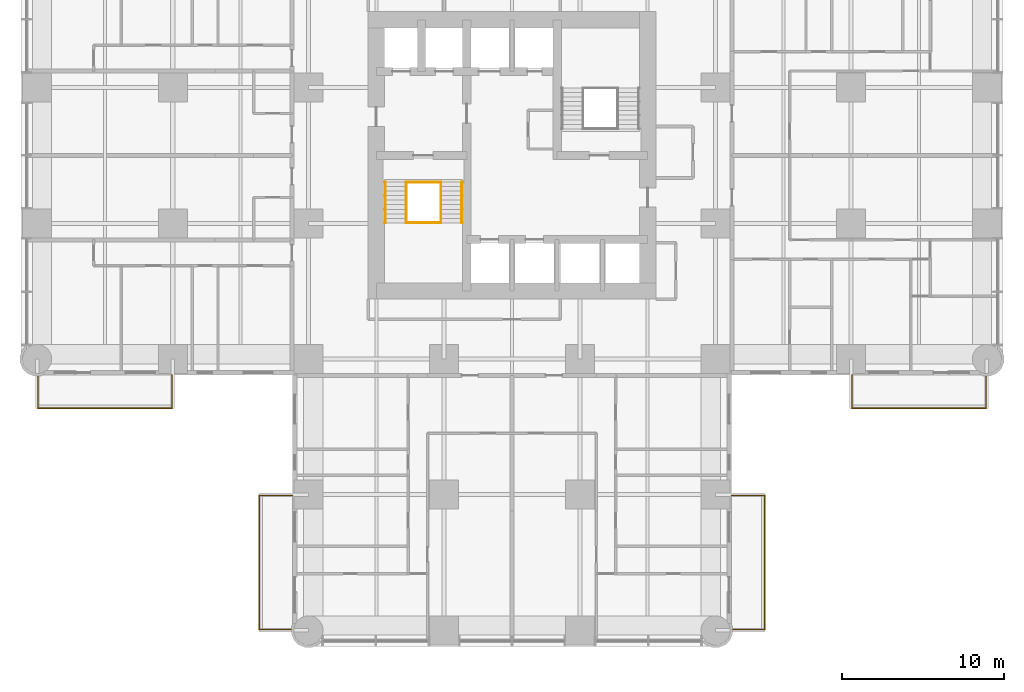
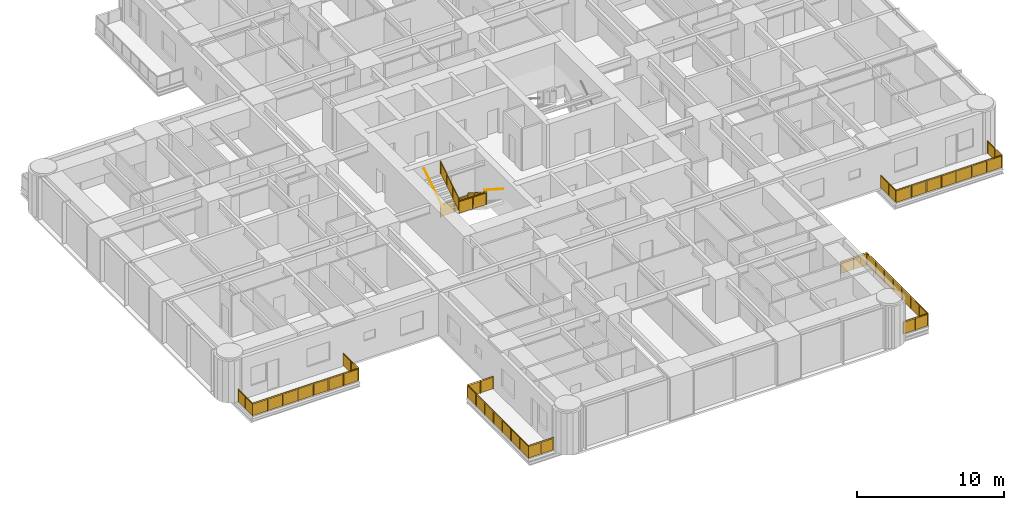
# One storey, part 16 of 17: 10 railings.
"""IFC4 building model written with IfcOpenShell, lengths in metres."""

from ifc_helpers import new_model, si_unit, direction, frame, origin, origin_2d, place, context, subcontext, project, spatial, polyline, circle, outline, extrude, material, constituent, constituent_set, type_object, element, save


model = new_model("IFC4")

# Units and contexts
model_context = context("Model", 3, precision=1e-05, world=origin(), true_north=direction((0.0, 1.0)))
body_context = subcontext(model_context, "Body", "Model", "MODEL_VIEW")
ifc_project = project(units=[si_unit("LENGTHUNIT", "METRE"), si_unit("AREAUNIT", "SQUARE_METRE"), si_unit("VOLUMEUNIT", "CUBIC_METRE"), si_unit("PLANEANGLEUNIT", "RADIAN"), si_unit("MASSUNIT", "GRAM", prefix="KILO")], contexts=[model_context])

# Site, building, storey
site_placement = place(None, origin())
site = spatial("IfcSite", under=ifc_project, at=site_placement, CompositionType="ELEMENT")
building_placement = place(site_placement, origin())
building = spatial("IfcBuilding", under=site, at=building_placement, Name="Torre Alcanfor", CompositionType="ELEMENT")
storey_placement = place(building_placement, frame((0.0, 0.0, 81.300048828125)))
storey = spatial("IfcBuildingStorey", under=building, at=storey_placement, Name="L20", CompositionType="ELEMENT", Elevation=81.300048828125)

# Railings
ifc_material_1 = material(Name="Laminated safety glass", Category="glass")
ifc_constituent_1 = constituent(ifc_material_1, Name="Infill")
ifc_material_2 = material(Name="Stainless steel ASTM A554 Grade MT 316L tube", Category="steel")
ifc_constituent_2 = constituent(ifc_material_2, Name="Posts and rail")
ifc_constituent_set = constituent_set(constituents=[ifc_constituent_1, ifc_constituent_2], Name="Balcony guard glass 1100")
railing_type_1 = type_object("IfcRailingType", Name="Balcony guard glass 1100", PredefinedType="BALUSTRADE", material=ifc_constituent_set)
railing_1_placement = place(storey_placement, frame((50.449951171875, 15.800048828125, 0.0)))
element("IfcRailing", 1, at=railing_1_placement, inside=storey, type_object=railing_type_1, Name="Balcony guard L20-E2", PredefinedType="BALUSTRADE", context=body_context, shape_type="SweptSolid", body=[
    extrude(circle(Radius=0.02392578125, at=origin_2d()), frame((0.0, 0.0, 1.076171875), z_axis=(0.0, -1.0, 0.0), x_axis=(1.0, 0.0, 0.0)), (0.0, 0.0, 1.0), 2.050048828125),
    extrude(circle(Radius=0.02392578125, at=origin_2d()), frame((0.0, -2.050048828125, 1.076171875), z_axis=(1.0, 0.0, 0.0), x_axis=(0.0, 1.0, 0.0)), (0.0, 0.0, 1.0), 8.300048828125),
    extrude(circle(Radius=0.02392578125, at=origin_2d()), frame((8.300048828125, -2.050048828125, 1.076171875), z_axis=(0.0, 1.0, 0.0), x_axis=(-1.0, 0.0, 0.0)), (0.0, 0.0, 1.0), 1.968994140625),
    extrude(circle(Radius=0.02099609375, at=origin_2d()), origin(), (0.0, 0.0, 1.0), 1.052001953125),
    extrude(circle(Radius=0.02099609375, at=origin_2d()), frame((0.0, -1.02490234375, 0.0)), (0.0, 0.0, 1.0), 1.052001953125),
    extrude(circle(Radius=0.02099609375, at=origin_2d()), frame((0.0, -2.050048828125, 0.0)), (0.0, 0.0, 1.0), 1.052001953125),
    extrude(circle(Radius=0.02099609375, at=origin_2d()), frame((1.185791015625, -2.050048828125, 0.0)), (0.0, 0.0, 1.0), 1.052001953125),
    extrude(circle(Radius=0.02099609375, at=origin_2d()), frame((2.371337890625, -2.050048828125, 0.0)), (0.0, 0.0, 1.0), 1.052001953125),
    extrude(circle(Radius=0.02099609375, at=origin_2d()), frame((3.55712890625, -2.050048828125, 0.0)), (0.0, 0.0, 1.0), 1.052001953125),
    extrude(circle(Radius=0.02099609375, at=origin_2d()), frame((4.742919921875, -2.050048828125, 0.0)), (0.0, 0.0, 1.0), 1.052001953125),
    extrude(circle(Radius=0.02099609375, at=origin_2d()), frame((5.9287109375, -2.050048828125, 0.0)), (0.0, 0.0, 1.0), 1.052001953125),
    extrude(circle(Radius=0.02099609375, at=origin_2d()), frame((7.1142578125, -2.050048828125, 0.0)), (0.0, 0.0, 1.0), 1.052001953125),
    extrude(circle(Radius=0.02099609375, at=origin_2d()), frame((8.300048828125, -2.050048828125, 0.0)), (0.0, 0.0, 1.0), 1.052001953125),
    extrude(circle(Radius=0.02099609375, at=origin_2d()), frame((8.300048828125, -1.0654296875, 0.0)), (0.0, 0.0, 1.0), 1.052001953125),
    extrude(circle(Radius=0.02099609375, at=origin_2d()), frame((8.300048828125, -0.0810546875, 0.0)), (0.0, 0.0, 1.0), 1.052001953125),
    extrude(outline(polyline([(0.041015625, 0.050048828125), (0.984130859375, 0.050048828125), (0.984130859375, 1.001953125), (0.041015625, 1.001953125), (0.041015625, 0.050048828125)])), frame((0.005859375, 0.0, 0.0), z_axis=(-1.0, 0.0, 0.0), x_axis=(0.0, -1.0, 0.0)), (0.0, 0.0, 1.0), 0.011962890625),
    extrude(outline(polyline([(1.06591796875, 0.050048828125), (2.009033203125, 0.050048828125), (2.009033203125, 1.001953125), (1.06591796875, 1.001953125), (1.06591796875, 0.050048828125)])), frame((0.005859375, 0.0, 0.0), z_axis=(-1.0, 0.0, 0.0), x_axis=(0.0, -1.0, 0.0)), (0.0, 0.0, 1.0), 0.011962890625),
    extrude(outline(polyline([(0.041015625, 0.050048828125), (1.144775390625, 0.050048828125), (1.144775390625, 1.001953125), (0.041015625, 1.001953125), (0.041015625, 0.050048828125)])), frame((0.0, -2.0439453125, 0.0), z_axis=(0.0, -1.0, 0.0), x_axis=(1.0, 0.0, 0.0)), (0.0, 0.0, 1.0), 0.011962890625),
    extrude(outline(polyline([(1.226806640625, 0.050048828125), (2.330322265625, 0.050048828125), (2.330322265625, 1.001953125), (1.226806640625, 1.001953125), (1.226806640625, 0.050048828125)])), frame((0.0, -2.0439453125, 0.0), z_axis=(0.0, -1.0, 0.0), x_axis=(1.0, 0.0, 0.0)), (0.0, 0.0, 1.0), 0.011962890625),
    extrude(outline(polyline([(2.412353515625, 0.050048828125), (3.51611328125, 0.050048828125), (3.51611328125, 1.001953125), (2.412353515625, 1.001953125), (2.412353515625, 0.050048828125)])), frame((0.0, -2.0439453125, 0.0), z_axis=(0.0, -1.0, 0.0), x_axis=(1.0, 0.0, 0.0)), (0.0, 0.0, 1.0), 0.011962890625),
    extrude(outline(polyline([(3.59814453125, 0.050048828125), (4.701904296875, 0.050048828125), (4.701904296875, 1.001953125), (3.59814453125, 1.001953125), (3.59814453125, 0.050048828125)])), frame((0.0, -2.0439453125, 0.0), z_axis=(0.0, -1.0, 0.0), x_axis=(1.0, 0.0, 0.0)), (0.0, 0.0, 1.0), 0.011962890625),
    extrude(outline(polyline([(4.783935546875, 0.050048828125), (5.8876953125, 0.050048828125), (5.8876953125, 1.001953125), (4.783935546875, 1.001953125), (4.783935546875, 0.050048828125)])), frame((0.0, -2.0439453125, 0.0), z_axis=(0.0, -1.0, 0.0), x_axis=(1.0, 0.0, 0.0)), (0.0, 0.0, 1.0), 0.011962890625),
    extrude(outline(polyline([(5.9697265625, 0.050048828125), (7.0732421875, 0.050048828125), (7.0732421875, 1.001953125), (5.9697265625, 1.001953125), (5.9697265625, 0.050048828125)])), frame((0.0, -2.0439453125, 0.0), z_axis=(0.0, -1.0, 0.0), x_axis=(1.0, 0.0, 0.0)), (0.0, 0.0, 1.0), 0.011962890625),
    extrude(outline(polyline([(7.1552734375, 0.050048828125), (8.259033203125, 0.050048828125), (8.259033203125, 1.001953125), (7.1552734375, 1.001953125), (7.1552734375, 0.050048828125)])), frame((0.0, -2.0439453125, 0.0), z_axis=(0.0, -1.0, 0.0), x_axis=(1.0, 0.0, 0.0)), (0.0, 0.0, 1.0), 0.011962890625),
    extrude(outline(polyline([(0.041015625, 0.050048828125), (0.943603515625, 0.050048828125), (0.943603515625, 1.001953125), (0.041015625, 1.001953125), (0.041015625, 0.050048828125)])), frame((8.2939453125, -2.050048828125, 0.0), z_axis=(1.0, 0.0, 0.0), x_axis=(0.0, 1.0, 0.0)), (0.0, 0.0, 1.0), 0.011962890625),
    extrude(outline(polyline([(1.025390625, 0.050048828125), (1.927978515625, 0.050048828125), (1.927978515625, 1.001953125), (1.025390625, 1.001953125), (1.025390625, 0.050048828125)])), frame((8.2939453125, -2.050048828125, 0.0), z_axis=(1.0, 0.0, 0.0), x_axis=(0.0, 1.0, 0.0)), (0.0, 0.0, 1.0), 0.011962890625),
])
railing_2_placement = place(storey_placement, frame((43.0, 8.35009765625, 0.0)))
element("IfcRailing", 2, at=railing_2_placement, inside=storey, type_object=railing_type_1, Name="Balcony guard L20-S1", PredefinedType="BALUSTRADE", context=body_context, shape_type="SweptSolid", body=[
    extrude(circle(Radius=0.02392578125, at=origin_2d()), frame((0.0, 0.0, 1.076171875), z_axis=(1.0, 0.0, 0.0), x_axis=(0.0, 1.0, 0.0)), (0.0, 0.0, 1.0), 2.050048828125),
    extrude(circle(Radius=0.02392578125, at=origin_2d()), frame((2.050048828125, 0.0, 1.076171875), z_axis=(0.0, -1.0, 0.0), x_axis=(1.0, 0.0, 0.0)), (0.0, 0.0, 1.0), 8.300048828125),
    extrude(circle(Radius=0.02392578125, at=origin_2d()), frame((2.050048828125, -8.300048828125, 1.076171875), z_axis=(-1.0, 0.0, 0.0), x_axis=(0.0, -1.0, 0.0)), (0.0, 0.0, 1.0), 1.968994140625),
    extrude(circle(Radius=0.02099609375, at=origin_2d()), origin(), (0.0, 0.0, 1.0), 1.052001953125),
    extrude(circle(Radius=0.02099609375, at=origin_2d()), frame((1.02490234375, 0.0, 0.0)), (0.0, 0.0, 1.0), 1.052001953125),
    extrude(circle(Radius=0.02099609375, at=origin_2d()), frame((2.050048828125, 0.0, 0.0)), (0.0, 0.0, 1.0), 1.052001953125),
    extrude(circle(Radius=0.02099609375, at=origin_2d()), frame((2.050048828125, -1.185791015625, 0.0)), (0.0, 0.0, 1.0), 1.052001953125),
    extrude(circle(Radius=0.02099609375, at=origin_2d()), frame((2.050048828125, -2.371337890625, 0.0)), (0.0, 0.0, 1.0), 1.052001953125),
    extrude(circle(Radius=0.02099609375, at=origin_2d()), frame((2.050048828125, -3.55712890625, 0.0)), (0.0, 0.0, 1.0), 1.052001953125),
    extrude(circle(Radius=0.02099609375, at=origin_2d()), frame((2.050048828125, -4.742919921875, 0.0)), (0.0, 0.0, 1.0), 1.052001953125),
    extrude(circle(Radius=0.02099609375, at=origin_2d()), frame((2.050048828125, -5.9287109375, 0.0)), (0.0, 0.0, 1.0), 1.052001953125),
    extrude(circle(Radius=0.02099609375, at=origin_2d()), frame((2.050048828125, -7.1142578125, 0.0)), (0.0, 0.0, 1.0), 1.052001953125),
    extrude(circle(Radius=0.02099609375, at=origin_2d()), frame((2.050048828125, -8.300048828125, 0.0)), (0.0, 0.0, 1.0), 1.052001953125),
    extrude(circle(Radius=0.02099609375, at=origin_2d()), frame((1.0654296875, -8.300048828125, 0.0)), (0.0, 0.0, 1.0), 1.052001953125),
    extrude(circle(Radius=0.02099609375, at=origin_2d()), frame((0.0810546875, -8.300048828125, 0.0)), (0.0, 0.0, 1.0), 1.052001953125),
    extrude(outline(polyline([(0.041015625, 0.050048828125), (0.984130859375, 0.050048828125), (0.984130859375, 1.001953125), (0.041015625, 1.001953125), (0.041015625, 0.050048828125)])), frame((0.0, 0.005859375, 0.0), z_axis=(0.0, -1.0, 0.0), x_axis=(1.0, 0.0, 0.0)), (0.0, 0.0, 1.0), 0.011962890625),
    extrude(outline(polyline([(1.06591796875, 0.050048828125), (2.009033203125, 0.050048828125), (2.009033203125, 1.001953125), (1.06591796875, 1.001953125), (1.06591796875, 0.050048828125)])), frame((0.0, 0.005859375, 0.0), z_axis=(0.0, -1.0, 0.0), x_axis=(1.0, 0.0, 0.0)), (0.0, 0.0, 1.0), 0.011962890625),
    extrude(outline(polyline([(0.041015625, 0.050048828125), (1.144775390625, 0.050048828125), (1.144775390625, 1.001953125), (0.041015625, 1.001953125), (0.041015625, 0.050048828125)])), frame((2.05615234375, 0.0, 0.0), z_axis=(-1.0, 0.0, 0.0), x_axis=(0.0, -1.0, 0.0)), (0.0, 0.0, 1.0), 0.011962890625),
    extrude(outline(polyline([(1.226806640625, 0.050048828125), (2.330322265625, 0.050048828125), (2.330322265625, 1.001953125), (1.226806640625, 1.001953125), (1.226806640625, 0.050048828125)])), frame((2.05615234375, 0.0, 0.0), z_axis=(-1.0, 0.0, 0.0), x_axis=(0.0, -1.0, 0.0)), (0.0, 0.0, 1.0), 0.011962890625),
    extrude(outline(polyline([(2.412353515625, 0.050048828125), (3.51611328125, 0.050048828125), (3.51611328125, 1.001953125), (2.412353515625, 1.001953125), (2.412353515625, 0.050048828125)])), frame((2.05615234375, 0.0, 0.0), z_axis=(-1.0, 0.0, 0.0), x_axis=(0.0, -1.0, 0.0)), (0.0, 0.0, 1.0), 0.011962890625),
    extrude(outline(polyline([(3.59814453125, 0.050048828125), (4.701904296875, 0.050048828125), (4.701904296875, 1.001953125), (3.59814453125, 1.001953125), (3.59814453125, 0.050048828125)])), frame((2.05615234375, 0.0, 0.0), z_axis=(-1.0, 0.0, 0.0), x_axis=(0.0, -1.0, 0.0)), (0.0, 0.0, 1.0), 0.011962890625),
    extrude(outline(polyline([(4.783935546875, 0.050048828125), (5.8876953125, 0.050048828125), (5.8876953125, 1.001953125), (4.783935546875, 1.001953125), (4.783935546875, 0.050048828125)])), frame((2.05615234375, 0.0, 0.0), z_axis=(-1.0, 0.0, 0.0), x_axis=(0.0, -1.0, 0.0)), (0.0, 0.0, 1.0), 0.011962890625),
    extrude(outline(polyline([(5.9697265625, 0.050048828125), (7.0732421875, 0.050048828125), (7.0732421875, 1.001953125), (5.9697265625, 1.001953125), (5.9697265625, 0.050048828125)])), frame((2.05615234375, 0.0, 0.0), z_axis=(-1.0, 0.0, 0.0), x_axis=(0.0, -1.0, 0.0)), (0.0, 0.0, 1.0), 0.011962890625),
    extrude(outline(polyline([(7.1552734375, 0.050048828125), (8.259033203125, 0.050048828125), (8.259033203125, 1.001953125), (7.1552734375, 1.001953125), (7.1552734375, 0.050048828125)])), frame((2.05615234375, 0.0, 0.0), z_axis=(-1.0, 0.0, 0.0), x_axis=(0.0, -1.0, 0.0)), (0.0, 0.0, 1.0), 0.011962890625),
    extrude(outline(polyline([(0.041015625, 0.050048828125), (0.943603515625, 0.050048828125), (0.943603515625, 1.001953125), (0.041015625, 1.001953125), (0.041015625, 0.050048828125)])), frame((2.050048828125, -8.30615234375, 0.0), z_axis=(0.0, 1.0, 0.0), x_axis=(-1.0, 0.0, 0.0)), (0.0, 0.0, 1.0), 0.011962890625),
    extrude(outline(polyline([(1.025390625, 0.050048828125), (1.927978515625, 0.050048828125), (1.927978515625, 1.001953125), (1.025390625, 1.001953125), (1.025390625, 0.050048828125)])), frame((2.050048828125, -8.30615234375, 0.0), z_axis=(0.0, 1.0, 0.0), x_axis=(-1.0, 0.0, 0.0)), (0.0, 0.0, 1.0), 0.011962890625),
])
railing_3_placement = place(storey_placement, frame((15.800048828125, 8.35009765625, 0.0)))
element("IfcRailing", 3, at=railing_3_placement, inside=storey, type_object=railing_type_1, Name="Balcony guard L20-S2", PredefinedType="BALUSTRADE", context=body_context, shape_type="SweptSolid", body=[
    extrude(circle(Radius=0.02392578125, at=origin_2d()), frame((0.0, 0.0, 1.076171875), z_axis=(-1.0, 0.0, 0.0), x_axis=(0.0, -1.0, 0.0)), (0.0, 0.0, 1.0), 2.050048828125),
    extrude(circle(Radius=0.02392578125, at=origin_2d()), frame((-2.050048828125, 0.0, 1.076171875), z_axis=(0.0, -1.0, 0.0), x_axis=(1.0, 0.0, 0.0)), (0.0, 0.0, 1.0), 8.300048828125),
    extrude(circle(Radius=0.02392578125, at=origin_2d()), frame((-2.050048828125, -8.300048828125, 1.076171875), z_axis=(1.0, 0.0, 0.0), x_axis=(0.0, 1.0, 0.0)), (0.0, 0.0, 1.0), 1.968994140625),
    extrude(circle(Radius=0.02099609375, at=origin_2d()), origin(), (0.0, 0.0, 1.0), 1.052001953125),
    extrude(circle(Radius=0.02099609375, at=origin_2d()), frame((-1.02490234375, 0.0, 0.0)), (0.0, 0.0, 1.0), 1.052001953125),
    extrude(circle(Radius=0.02099609375, at=origin_2d()), frame((-2.050048828125, 0.0, 0.0)), (0.0, 0.0, 1.0), 1.052001953125),
    extrude(circle(Radius=0.02099609375, at=origin_2d()), frame((-2.050048828125, -1.185791015625, 0.0)), (0.0, 0.0, 1.0), 1.052001953125),
    extrude(circle(Radius=0.02099609375, at=origin_2d()), frame((-2.050048828125, -2.371337890625, 0.0)), (0.0, 0.0, 1.0), 1.052001953125),
    extrude(circle(Radius=0.02099609375, at=origin_2d()), frame((-2.050048828125, -3.55712890625, 0.0)), (0.0, 0.0, 1.0), 1.052001953125),
    extrude(circle(Radius=0.02099609375, at=origin_2d()), frame((-2.050048828125, -4.742919921875, 0.0)), (0.0, 0.0, 1.0), 1.052001953125),
    extrude(circle(Radius=0.02099609375, at=origin_2d()), frame((-2.050048828125, -5.9287109375, 0.0)), (0.0, 0.0, 1.0), 1.052001953125),
    extrude(circle(Radius=0.02099609375, at=origin_2d()), frame((-2.050048828125, -7.1142578125, 0.0)), (0.0, 0.0, 1.0), 1.052001953125),
    extrude(circle(Radius=0.02099609375, at=origin_2d()), frame((-2.050048828125, -8.300048828125, 0.0)), (0.0, 0.0, 1.0), 1.052001953125),
    extrude(circle(Radius=0.02099609375, at=origin_2d()), frame((-1.0654296875, -8.300048828125, 0.0)), (0.0, 0.0, 1.0), 1.052001953125),
    extrude(circle(Radius=0.02099609375, at=origin_2d()), frame((-0.0810546875, -8.300048828125, 0.0)), (0.0, 0.0, 1.0), 1.052001953125),
    extrude(outline(polyline([(0.041015625, 0.050048828125), (0.984130859375, 0.050048828125), (0.984130859375, 1.001953125), (0.041015625, 1.001953125), (0.041015625, 0.050048828125)])), frame((0.0, -0.005859375, 0.0), z_axis=(0.0, 1.0, 0.0), x_axis=(-1.0, 0.0, 0.0)), (0.0, 0.0, 1.0), 0.011962890625),
    extrude(outline(polyline([(1.06591796875, 0.050048828125), (2.009033203125, 0.050048828125), (2.009033203125, 1.001953125), (1.06591796875, 1.001953125), (1.06591796875, 0.050048828125)])), frame((0.0, -0.005859375, 0.0), z_axis=(0.0, 1.0, 0.0), x_axis=(-1.0, 0.0, 0.0)), (0.0, 0.0, 1.0), 0.011962890625),
    extrude(outline(polyline([(0.041015625, 0.050048828125), (1.144775390625, 0.050048828125), (1.144775390625, 1.001953125), (0.041015625, 1.001953125), (0.041015625, 0.050048828125)])), frame((-2.0439453125, 0.0, 0.0), z_axis=(-1.0, 0.0, 0.0), x_axis=(0.0, -1.0, 0.0)), (0.0, 0.0, 1.0), 0.011962890625),
    extrude(outline(polyline([(1.226806640625, 0.050048828125), (2.330322265625, 0.050048828125), (2.330322265625, 1.001953125), (1.226806640625, 1.001953125), (1.226806640625, 0.050048828125)])), frame((-2.0439453125, 0.0, 0.0), z_axis=(-1.0, 0.0, 0.0), x_axis=(0.0, -1.0, 0.0)), (0.0, 0.0, 1.0), 0.011962890625),
    extrude(outline(polyline([(2.412353515625, 0.050048828125), (3.51611328125, 0.050048828125), (3.51611328125, 1.001953125), (2.412353515625, 1.001953125), (2.412353515625, 0.050048828125)])), frame((-2.0439453125, 0.0, 0.0), z_axis=(-1.0, 0.0, 0.0), x_axis=(0.0, -1.0, 0.0)), (0.0, 0.0, 1.0), 0.011962890625),
    extrude(outline(polyline([(3.59814453125, 0.050048828125), (4.701904296875, 0.050048828125), (4.701904296875, 1.001953125), (3.59814453125, 1.001953125), (3.59814453125, 0.050048828125)])), frame((-2.0439453125, 0.0, 0.0), z_axis=(-1.0, 0.0, 0.0), x_axis=(0.0, -1.0, 0.0)), (0.0, 0.0, 1.0), 0.011962890625),
    extrude(outline(polyline([(4.783935546875, 0.050048828125), (5.8876953125, 0.050048828125), (5.8876953125, 1.001953125), (4.783935546875, 1.001953125), (4.783935546875, 0.050048828125)])), frame((-2.0439453125, 0.0, 0.0), z_axis=(-1.0, 0.0, 0.0), x_axis=(0.0, -1.0, 0.0)), (0.0, 0.0, 1.0), 0.011962890625),
    extrude(outline(polyline([(5.9697265625, 0.050048828125), (7.0732421875, 0.050048828125), (7.0732421875, 1.001953125), (5.9697265625, 1.001953125), (5.9697265625, 0.050048828125)])), frame((-2.0439453125, 0.0, 0.0), z_axis=(-1.0, 0.0, 0.0), x_axis=(0.0, -1.0, 0.0)), (0.0, 0.0, 1.0), 0.011962890625),
    extrude(outline(polyline([(7.1552734375, 0.050048828125), (8.259033203125, 0.050048828125), (8.259033203125, 1.001953125), (7.1552734375, 1.001953125), (7.1552734375, 0.050048828125)])), frame((-2.0439453125, 0.0, 0.0), z_axis=(-1.0, 0.0, 0.0), x_axis=(0.0, -1.0, 0.0)), (0.0, 0.0, 1.0), 0.011962890625),
    extrude(outline(polyline([(0.041015625, 0.050048828125), (0.943603515625, 0.050048828125), (0.943603515625, 1.001953125), (0.041015625, 1.001953125), (0.041015625, 0.050048828125)])), frame((-2.050048828125, -8.2939453125, 0.0), z_axis=(0.0, -1.0, 0.0), x_axis=(1.0, 0.0, 0.0)), (0.0, 0.0, 1.0), 0.011962890625),
    extrude(outline(polyline([(1.025390625, 0.050048828125), (1.927978515625, 0.050048828125), (1.927978515625, 1.001953125), (1.025390625, 1.001953125), (1.025390625, 0.050048828125)])), frame((-2.050048828125, -8.2939453125, 0.0), z_axis=(0.0, -1.0, 0.0), x_axis=(1.0, 0.0, 0.0)), (0.0, 0.0, 1.0), 0.011962890625),
])
railing_4_placement = place(storey_placement, frame((8.35009765625, 15.800048828125, 0.0)))
element("IfcRailing", 4, at=railing_4_placement, inside=storey, type_object=railing_type_1, Name="Balcony guard L20-W1", PredefinedType="BALUSTRADE", context=body_context, shape_type="SweptSolid", body=[
    extrude(circle(Radius=0.02392578125, at=origin_2d()), frame((0.0, 0.0, 1.076171875), z_axis=(0.0, -1.0, 0.0), x_axis=(1.0, 0.0, 0.0)), (0.0, 0.0, 1.0), 2.050048828125),
    extrude(circle(Radius=0.02392578125, at=origin_2d()), frame((0.0, -2.050048828125, 1.076171875), z_axis=(-1.0, 0.0, 0.0), x_axis=(0.0, -1.0, 0.0)), (0.0, 0.0, 1.0), 8.300048828125),
    extrude(circle(Radius=0.02392578125, at=origin_2d()), frame((-8.300048828125, -2.050048828125, 1.076171875), z_axis=(0.0, 1.0, 0.0), x_axis=(-1.0, 0.0, 0.0)), (0.0, 0.0, 1.0), 1.968994140625),
    extrude(circle(Radius=0.02099609375, at=origin_2d()), origin(), (0.0, 0.0, 1.0), 1.052001953125),
    extrude(circle(Radius=0.02099609375, at=origin_2d()), frame((0.0, -1.02490234375, 0.0)), (0.0, 0.0, 1.0), 1.052001953125),
    extrude(circle(Radius=0.02099609375, at=origin_2d()), frame((0.0, -2.050048828125, 0.0)), (0.0, 0.0, 1.0), 1.052001953125),
    extrude(circle(Radius=0.02099609375, at=origin_2d()), frame((-1.185791015625, -2.050048828125, 0.0)), (0.0, 0.0, 1.0), 1.052001953125),
    extrude(circle(Radius=0.02099609375, at=origin_2d()), frame((-2.371337890625, -2.050048828125, 0.0)), (0.0, 0.0, 1.0), 1.052001953125),
    extrude(circle(Radius=0.02099609375, at=origin_2d()), frame((-3.55712890625, -2.050048828125, 0.0)), (0.0, 0.0, 1.0), 1.052001953125),
    extrude(circle(Radius=0.02099609375, at=origin_2d()), frame((-4.742919921875, -2.050048828125, 0.0)), (0.0, 0.0, 1.0), 1.052001953125),
    extrude(circle(Radius=0.02099609375, at=origin_2d()), frame((-5.9287109375, -2.050048828125, 0.0)), (0.0, 0.0, 1.0), 1.052001953125),
    extrude(circle(Radius=0.02099609375, at=origin_2d()), frame((-7.1142578125, -2.050048828125, 0.0)), (0.0, 0.0, 1.0), 1.052001953125),
    extrude(circle(Radius=0.02099609375, at=origin_2d()), frame((-8.300048828125, -2.050048828125, 0.0)), (0.0, 0.0, 1.0), 1.052001953125),
    extrude(circle(Radius=0.02099609375, at=origin_2d()), frame((-8.300048828125, -1.0654296875, 0.0)), (0.0, 0.0, 1.0), 1.052001953125),
    extrude(circle(Radius=0.02099609375, at=origin_2d()), frame((-8.300048828125, -0.0810546875, 0.0)), (0.0, 0.0, 1.0), 1.052001953125),
    extrude(outline(polyline([(0.041015625, 0.050048828125), (0.984130859375, 0.050048828125), (0.984130859375, 1.001953125), (0.041015625, 1.001953125), (0.041015625, 0.050048828125)])), frame((0.005859375, 0.0, 0.0), z_axis=(-1.0, 0.0, 0.0), x_axis=(0.0, -1.0, 0.0)), (0.0, 0.0, 1.0), 0.011962890625),
    extrude(outline(polyline([(1.06591796875, 0.050048828125), (2.009033203125, 0.050048828125), (2.009033203125, 1.001953125), (1.06591796875, 1.001953125), (1.06591796875, 0.050048828125)])), frame((0.005859375, 0.0, 0.0), z_axis=(-1.0, 0.0, 0.0), x_axis=(0.0, -1.0, 0.0)), (0.0, 0.0, 1.0), 0.011962890625),
    extrude(outline(polyline([(0.041015625, 0.050048828125), (1.144775390625, 0.050048828125), (1.144775390625, 1.001953125), (0.041015625, 1.001953125), (0.041015625, 0.050048828125)])), frame((0.0, -2.05615234375, 0.0), z_axis=(0.0, 1.0, 0.0), x_axis=(-1.0, 0.0, 0.0)), (0.0, 0.0, 1.0), 0.011962890625),
    extrude(outline(polyline([(1.226806640625, 0.050048828125), (2.330322265625, 0.050048828125), (2.330322265625, 1.001953125), (1.226806640625, 1.001953125), (1.226806640625, 0.050048828125)])), frame((0.0, -2.05615234375, 0.0), z_axis=(0.0, 1.0, 0.0), x_axis=(-1.0, 0.0, 0.0)), (0.0, 0.0, 1.0), 0.011962890625),
    extrude(outline(polyline([(2.412353515625, 0.050048828125), (3.51611328125, 0.050048828125), (3.51611328125, 1.001953125), (2.412353515625, 1.001953125), (2.412353515625, 0.050048828125)])), frame((0.0, -2.05615234375, 0.0), z_axis=(0.0, 1.0, 0.0), x_axis=(-1.0, 0.0, 0.0)), (0.0, 0.0, 1.0), 0.011962890625),
    extrude(outline(polyline([(3.59814453125, 0.050048828125), (4.701904296875, 0.050048828125), (4.701904296875, 1.001953125), (3.59814453125, 1.001953125), (3.59814453125, 0.050048828125)])), frame((0.0, -2.05615234375, 0.0), z_axis=(0.0, 1.0, 0.0), x_axis=(-1.0, 0.0, 0.0)), (0.0, 0.0, 1.0), 0.011962890625),
    extrude(outline(polyline([(4.783935546875, 0.050048828125), (5.8876953125, 0.050048828125), (5.8876953125, 1.001953125), (4.783935546875, 1.001953125), (4.783935546875, 0.050048828125)])), frame((0.0, -2.05615234375, 0.0), z_axis=(0.0, 1.0, 0.0), x_axis=(-1.0, 0.0, 0.0)), (0.0, 0.0, 1.0), 0.011962890625),
    extrude(outline(polyline([(5.9697265625, 0.050048828125), (7.0732421875, 0.050048828125), (7.0732421875, 1.001953125), (5.9697265625, 1.001953125), (5.9697265625, 0.050048828125)])), frame((0.0, -2.05615234375, 0.0), z_axis=(0.0, 1.0, 0.0), x_axis=(-1.0, 0.0, 0.0)), (0.0, 0.0, 1.0), 0.011962890625),
    extrude(outline(polyline([(7.1552734375, 0.050048828125), (8.259033203125, 0.050048828125), (8.259033203125, 1.001953125), (7.1552734375, 1.001953125), (7.1552734375, 0.050048828125)])), frame((0.0, -2.05615234375, 0.0), z_axis=(0.0, 1.0, 0.0), x_axis=(-1.0, 0.0, 0.0)), (0.0, 0.0, 1.0), 0.011962890625),
    extrude(outline(polyline([(0.041015625, 0.050048828125), (0.943603515625, 0.050048828125), (0.943603515625, 1.001953125), (0.041015625, 1.001953125), (0.041015625, 0.050048828125)])), frame((-8.30615234375, -2.050048828125, 0.0), z_axis=(1.0, 0.0, 0.0), x_axis=(0.0, 1.0, 0.0)), (0.0, 0.0, 1.0), 0.011962890625),
    extrude(outline(polyline([(1.025390625, 0.050048828125), (1.927978515625, 0.050048828125), (1.927978515625, 1.001953125), (1.025390625, 1.001953125), (1.025390625, 0.050048828125)])), frame((-8.30615234375, -2.050048828125, 0.0), z_axis=(1.0, 0.0, 0.0), x_axis=(0.0, 1.0, 0.0)), (0.0, 0.0, 1.0), 0.011962890625),
])
ifc_material_3 = material(Name="Steel ASTM A500 Grade C hollow sections", Category="steel")
railing_type_2 = type_object("IfcRailingType", Name="Stair guard and handrail 1100", PredefinedType="GUARDRAIL", material=ifc_material_3)
railing_5_placement = place(storey_placement, frame((25.0, 27.75, 0.179931640625)))
element("IfcRailing", 5, at=railing_5_placement, inside=storey, type_object=railing_type_2, Name="Stair guard S1 L20 flight 1", PredefinedType="GUARDRAIL", context=body_context, shape_type="SweptSolid", body=[
    extrude(circle(Radius=0.02392578125, at=origin_2d()), frame((0.0, 0.0, 1.076171875), z_axis=(0.0, -0.841162588446, 0.540782303519), x_axis=(1.0, 0.0, 0.0)), (0.0, 0.0, 1.0), 2.995849609375),
    extrude(circle(Radius=0.02099609375, at=origin_2d()), origin(), (0.0, 0.0, 1.0), 1.052001953125),
    extrude(circle(Radius=0.02099609375, at=origin_2d()), frame((0.0, -0.840087890625, 0.5400390625)), (0.0, 0.0, 1.0), 1.052001953125),
    extrude(circle(Radius=0.02099609375, at=origin_2d()), frame((0.0, -1.679931640625, 1.080078125)), (0.0, 0.0, 1.0), 1.052001953125),
    extrude(circle(Radius=0.02099609375, at=origin_2d()), frame((0.0, -2.52001953125, 1.6201171875)), (0.0, 0.0, 1.0), 1.052001953125),
    extrude(outline(polyline([(0.041015625, 0.076416015625), (0.799072265625, 0.563720703125), (0.799072265625, 1.515625), (0.041015625, 1.0283203125), (0.041015625, 0.076416015625)])), frame((0.005859375, 0.0, 0.0), z_axis=(-1.0, 0.0, 0.0), x_axis=(0.0, -1.0, 0.0)), (0.0, 0.0, 1.0), 0.011962890625),
    extrude(outline(polyline([(0.881103515625, 0.616455078125), (1.638916015625, 1.103759765625), (1.638916015625, 2.0556640625), (0.881103515625, 1.568359375), (0.881103515625, 0.616455078125)])), frame((0.005859375, 0.0, 0.0), z_axis=(-1.0, 0.0, 0.0), x_axis=(0.0, -1.0, 0.0)), (0.0, 0.0, 1.0), 0.011962890625),
    extrude(outline(polyline([(1.720947265625, 1.156494140625), (2.47900390625, 1.643798828125), (2.47900390625, 2.595703125), (1.720947265625, 2.1083984375), (1.720947265625, 1.156494140625)])), frame((0.005859375, 0.0, 0.0), z_axis=(-1.0, 0.0, 0.0), x_axis=(0.0, -1.0, 0.0)), (0.0, 0.0, 1.0), 0.011962890625),
])
railing_6_placement = place(storey_placement, frame((22.85009765625, 25.22998046875, 1.97998046875)))
element("IfcRailing", 6, at=railing_6_placement, inside=storey, type_object=railing_type_2, Name="Stair guard S1 L20 flight 2", PredefinedType="GUARDRAIL", context=body_context, shape_type="SweptSolid", body=[
    extrude(circle(Radius=0.02392578125, at=origin_2d()), frame((0.0, 0.0, 1.076171875), z_axis=(0.0, 0.841199657755, 0.540724639528), x_axis=(-1.0, 0.0, 0.0)), (0.0, 0.0, 1.0), 2.995849609375),
    extrude(circle(Radius=0.02099609375, at=origin_2d()), origin(), (0.0, 0.0, 1.0), 1.052001953125),
    extrude(circle(Radius=0.02099609375, at=origin_2d()), frame((0.0, 0.840087890625, 0.5400390625)), (0.0, 0.0, 1.0), 1.052001953125),
    extrude(circle(Radius=0.02099609375, at=origin_2d()), frame((0.0, 1.679931640625, 1.079833984375)), (0.0, 0.0, 1.0), 1.052001953125),
    extrude(circle(Radius=0.02099609375, at=origin_2d()), frame((0.0, 2.52001953125, 1.619873046875)), (0.0, 0.0, 1.0), 1.052001953125),
    extrude(outline(polyline([(0.041015625, 0.076416015625), (0.799072265625, 0.563720703125), (0.799072265625, 1.515625), (0.041015625, 1.0283203125), (0.041015625, 0.076416015625)])), frame((-0.005859375, 0.0, 0.0), z_axis=(1.0, 0.0, 0.0), x_axis=(0.0, 1.0, 0.0)), (0.0, 0.0, 1.0), 0.011962890625),
    extrude(outline(polyline([(0.881103515625, 0.6162109375), (1.638916015625, 1.103515625), (1.638916015625, 2.0556640625), (0.881103515625, 1.568359375), (0.881103515625, 0.6162109375)])), frame((-0.005859375, 0.0, 0.0), z_axis=(1.0, 0.0, 0.0), x_axis=(0.0, 1.0, 0.0)), (0.0, 0.0, 1.0), 0.011962890625),
    extrude(outline(polyline([(1.720947265625, 1.15625), (2.47900390625, 1.6435546875), (2.47900390625, 2.595458984375), (1.720947265625, 2.108154296875), (1.720947265625, 1.15625)])), frame((-0.005859375, 0.0, 0.0), z_axis=(1.0, 0.0, 0.0), x_axis=(0.0, 1.0, 0.0)), (0.0, 0.0, 1.0), 0.011962890625),
])
for number, where, name in (
    (7, (22.85009765625, 27.75, 0.0), "Stair well guard S1 L20 floor landing"),
    (8, (22.85009765625, 25.22998046875, 1.800048828125), "Stair well guard S1 L20 half landing"),
):
    element("IfcRailing", number, at=place(storey_placement, frame(where)), inside=storey, type_object=railing_type_2, Name=name, PredefinedType="GUARDRAIL", context=body_context, shape_type="SweptSolid", body=[
        extrude(circle(Radius=0.02392578125, at=origin_2d()), frame((0.0, 0.0, 1.076171875), z_axis=(1.0, 0.0, 0.0), x_axis=(0.0, 1.0, 0.0)), (0.0, 0.0, 1.0), 2.14990234375),
        extrude(circle(Radius=0.02099609375, at=origin_2d()), origin(), (0.0, 0.0, 1.0), 1.052001953125),
        extrude(circle(Radius=0.02099609375, at=origin_2d()), frame((1.074951171875, 0.0, 0.0)), (0.0, 0.0, 1.0), 1.052001953125),
        extrude(circle(Radius=0.02099609375, at=origin_2d()), frame((2.14990234375, 0.0, 0.0)), (0.0, 0.0, 1.0), 1.052001953125),
        extrude(outline(polyline([(0.041015625, 0.050048828125), (1.033935546875, 0.050048828125), (1.033935546875, 1.001953125), (0.041015625, 1.001953125), (0.041015625, 0.050048828125)])), frame((0.0, 0.005859375, 0.0), z_axis=(0.0, -1.0, 0.0), x_axis=(1.0, 0.0, 0.0)), (0.0, 0.0, 1.0), 0.011962890625),
        extrude(outline(polyline([(1.115966796875, 0.050048828125), (2.10888671875, 0.050048828125), (2.10888671875, 1.001953125), (1.115966796875, 1.001953125), (1.115966796875, 0.050048828125)])), frame((0.0, 0.005859375, 0.0), z_axis=(0.0, -1.0, 0.0), x_axis=(1.0, 0.0, 0.0)), (0.0, 0.0, 1.0), 0.011962890625),
    ])
ifc_material_4 = material(Name="Steel ASTM A500 Grade C hollow sections", Category="steel")
railing_type_3 = type_object("IfcRailingType", Name="Stair wall handrail 900", PredefinedType="HANDRAIL", material=ifc_material_4)
railing_7_placement = place(storey_placement, frame((26.284912109375, 27.75, 0.179931640625)))
element("IfcRailing", 9, at=railing_7_placement, inside=storey, type_object=railing_type_3, Name="Stair handrail S1 L20 flight 1", PredefinedType="HANDRAIL", context=body_context, shape_type="SweptSolid", body=[
    extrude(circle(Radius=0.02392578125, at=origin_2d()), frame((0.0, 0.0, 0.8759765625), z_axis=(0.0, -0.841162588446, 0.540782303519), x_axis=(1.0, 0.0, 0.0)), (0.0, 0.0, 1.0), 2.995849609375),
    extrude(circle(Radius=0.008056640625, at=origin_2d()), frame((0.0, 0.0, 0.8759765625), z_axis=(1.0, 0.0, 0.0), x_axis=(0.0, 0.0, 1.0)), (0.0, 0.0, 1.0), 0.06494140625),
    extrude(circle(Radius=0.008056640625, at=origin_2d()), frame((0.0, -0.840087890625, 1.416015625), z_axis=(1.0, 0.0, 0.0), x_axis=(0.0, 0.0, 1.0)), (0.0, 0.0, 1.0), 0.06494140625),
    extrude(circle(Radius=0.008056640625, at=origin_2d()), frame((0.0, -1.679931640625, 1.9560546875), z_axis=(1.0, 0.0, 0.0), x_axis=(0.0, 0.0, 1.0)), (0.0, 0.0, 1.0), 0.06494140625),
    extrude(circle(Radius=0.008056640625, at=origin_2d()), frame((0.0, -2.52001953125, 2.49609375), z_axis=(1.0, 0.0, 0.0), x_axis=(0.0, 0.0, 1.0)), (0.0, 0.0, 1.0), 0.06494140625),
])
railing_8_placement = place(storey_placement, frame((21.56494140625, 25.22998046875, 1.97998046875)))
element("IfcRailing", 10, at=railing_8_placement, inside=storey, type_object=railing_type_3, Name="Stair handrail S1 L20 flight 2", PredefinedType="HANDRAIL", context=body_context, shape_type="SweptSolid", body=[
    extrude(circle(Radius=0.02392578125, at=origin_2d()), frame((0.0, 0.0, 0.8759765625), z_axis=(0.0, 0.841199657755, 0.540724639528), x_axis=(-1.0, 0.0, 0.0)), (0.0, 0.0, 1.0), 2.995849609375),
    extrude(circle(Radius=0.008056640625, at=origin_2d()), frame((0.0, 0.0, 0.8759765625), z_axis=(-1.0, 0.0, 0.0), x_axis=(0.0, 0.0, 1.0)), (0.0, 0.0, 1.0), 0.06494140625),
    extrude(circle(Radius=0.008056640625, at=origin_2d()), frame((0.0, 0.840087890625, 1.415771484375), z_axis=(-1.0, 0.0, 0.0), x_axis=(0.0, 0.0, 1.0)), (0.0, 0.0, 1.0), 0.06494140625),
    extrude(circle(Radius=0.008056640625, at=origin_2d()), frame((0.0, 1.679931640625, 1.955810546875), z_axis=(-1.0, 0.0, 0.0), x_axis=(0.0, 0.0, 1.0)), (0.0, 0.0, 1.0), 0.06494140625),
    extrude(circle(Radius=0.008056640625, at=origin_2d()), frame((0.0, 2.52001953125, 2.49560546875), z_axis=(-1.0, 0.0, 0.0), x_axis=(0.0, 0.0, 1.0)), (0.0, 0.0, 1.0), 0.06494140625),
])

save(model, "model.ifc")
